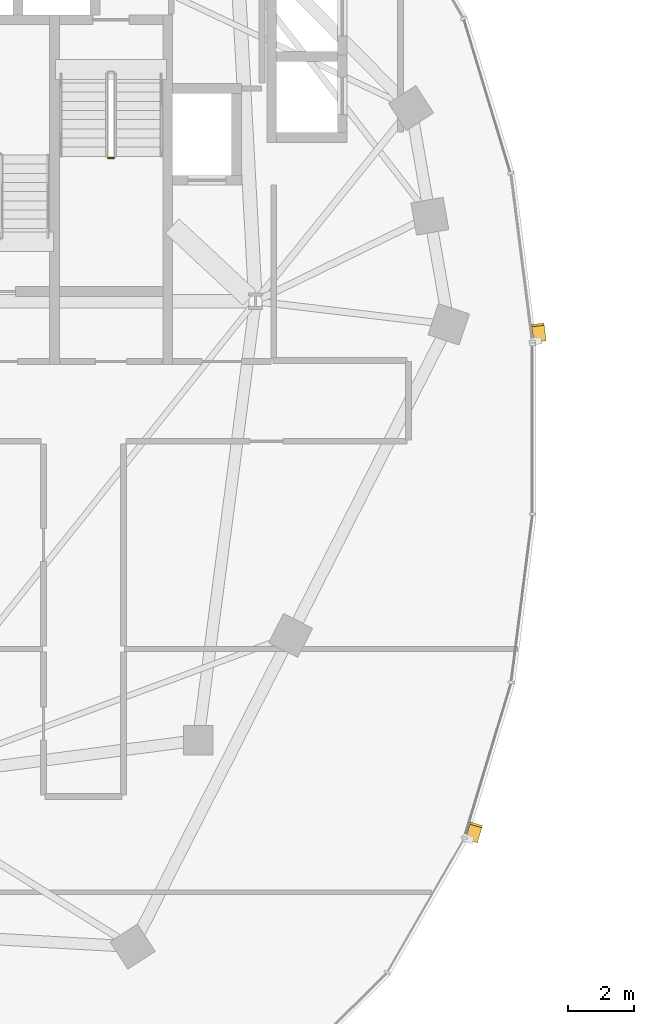
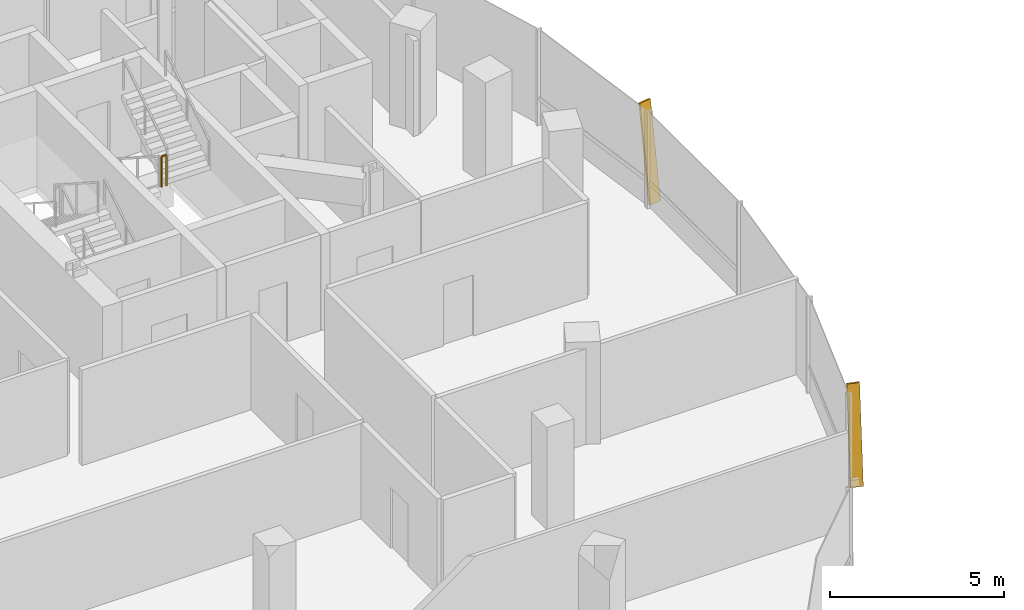
# One storey, part 20 of 23: 2 shading devices, 1 railing.
"""IFC4 building model written with IfcOpenShell, lengths in metres."""

from ifc_helpers import new_model, si_unit, direction, frame, origin, origin_2d, place, context, subcontext, project, spatial, rectangle, extrude, material, material_profile, profile_set, type_object, element, save


model = new_model("IFC4")

# Units and contexts
model_context = context("Model", 3, precision=1e-05, world=origin(), true_north=direction((0.0, 1.0)))
body_context = subcontext(model_context, "Body", "Model", "MODEL_VIEW")
ifc_project = project(units=[si_unit("LENGTHUNIT", "METRE"), si_unit("AREAUNIT", "SQUARE_METRE"), si_unit("VOLUMEUNIT", "CUBIC_METRE"), si_unit("PLANEANGLEUNIT", "RADIAN"), si_unit("MASSUNIT", "GRAM", prefix="KILO"), si_unit("THERMODYNAMICTEMPERATUREUNIT", "KELVIN"), si_unit("POWERUNIT", "WATT")], contexts=[model_context])

# Site, building, storey
site_placement = place(None, origin())
site = spatial("IfcSite", under=ifc_project, at=site_placement, CompositionType="ELEMENT")
building_placement = place(site_placement, origin())
building = spatial("IfcBuilding", under=site, at=building_placement, Name="Cundina Bronze Exchange", CompositionType="ELEMENT")
storey_placement = place(building_placement, frame((0.0, 0.0, 169.199951171875)))
storey = spatial("IfcBuildingStorey", under=building, at=storey_placement, Name="L44", CompositionType="ELEMENT", Elevation=169.199951171875)

# Railing
ifc_material_1 = material(Name="Steel ASTM A36 Painted", Category="steel")
railing_type = type_object("IfcRailingType", Name="RLG-STG-1100", PredefinedType="GUARDRAIL", material=ifc_material_1)
railing_placement = place(storey_placement, frame((-25.93994140625, 8.280029296875, 1.800048828125)))
element("IfcRailing", 1, at=railing_placement, inside=storey, type_object=railing_type, Name="L44 ST-W2 stair guard 2", PredefinedType="GUARDRAIL", context=body_context, shape_type="SweptSolid", body=[
    extrude(rectangle(XDim=0.048095703125, YDim=0.048095703125, at=origin_2d()), frame((0.0, 0.0, 1.076171875), z_axis=(1.0, 0.0, 0.0), x_axis=(0.0, 1.0, 0.0)), (0.0, 0.0, 1.0), 0.159912109375),
    extrude(rectangle(XDim=0.0419921875, YDim=0.0419921875, at=origin_2d()), origin(), (0.0, 0.0, 1.0), 1.052001953125),
    extrude(rectangle(XDim=0.0419921875, YDim=0.0419921875, at=origin_2d()), frame((0.159912109375, 0.0, 0.0)), (0.0, 0.0, 1.0), 1.052001953125),
])

# Shading devices
ifc_material_2 = material(Name="Anodised Bronze Aluminium 6063-T6", Category="aluminium")
ifc_material_profile = material_profile(ifc_material_2, rectangle(XDim=0.070068359375, YDim=0.3798828125, at=origin_2d()), Name="FIN70X380", Category="aluminium")
ifc_profile_set = profile_set([ifc_material_profile], Name="Anodised Bronze Aluminium 6063-T6")
shading_device_type = type_object("IfcShadingDeviceType", Name="SHD-FIN-BRZ380", PredefinedType="USERDEFINED", material=ifc_profile_set)
for number, where, z_axis, x_axis, name in (
    (2, (-12.76513671875, 2.705810546875, 0.02001953125), (-0.018121805099, 0.141917750773, 0.989712560391), (0.125360789044, -0.981741119016, 0.143070080046), "L44 Diagonal Bronze Solar Fin 1"),
    (3, (-14.848876953125, -12.5439453125, 0.02001953125), (0.041483395017, 0.136967981441, 0.989706471636), (-0.286882504107, -0.947215566191, 0.143112193758), "L44 Diagonal Bronze Solar Fin 5"),
):
    element("IfcShadingDevice", number, at=place(storey_placement, frame(where, z_axis=z_axis, x_axis=x_axis)), inside=storey, type_object=shading_device_type, Name=name, ObjectType="FIN", PredefinedType="USERDEFINED", context=body_context, shape_type="SweptSolid", body=[
        extrude(rectangle(XDim=0.070068359375, YDim=0.3798828125, at=origin_2d()), origin(), (0.0, 0.0, 1.0), 3.3544921875),
    ])

save(model, "model.ifc")
